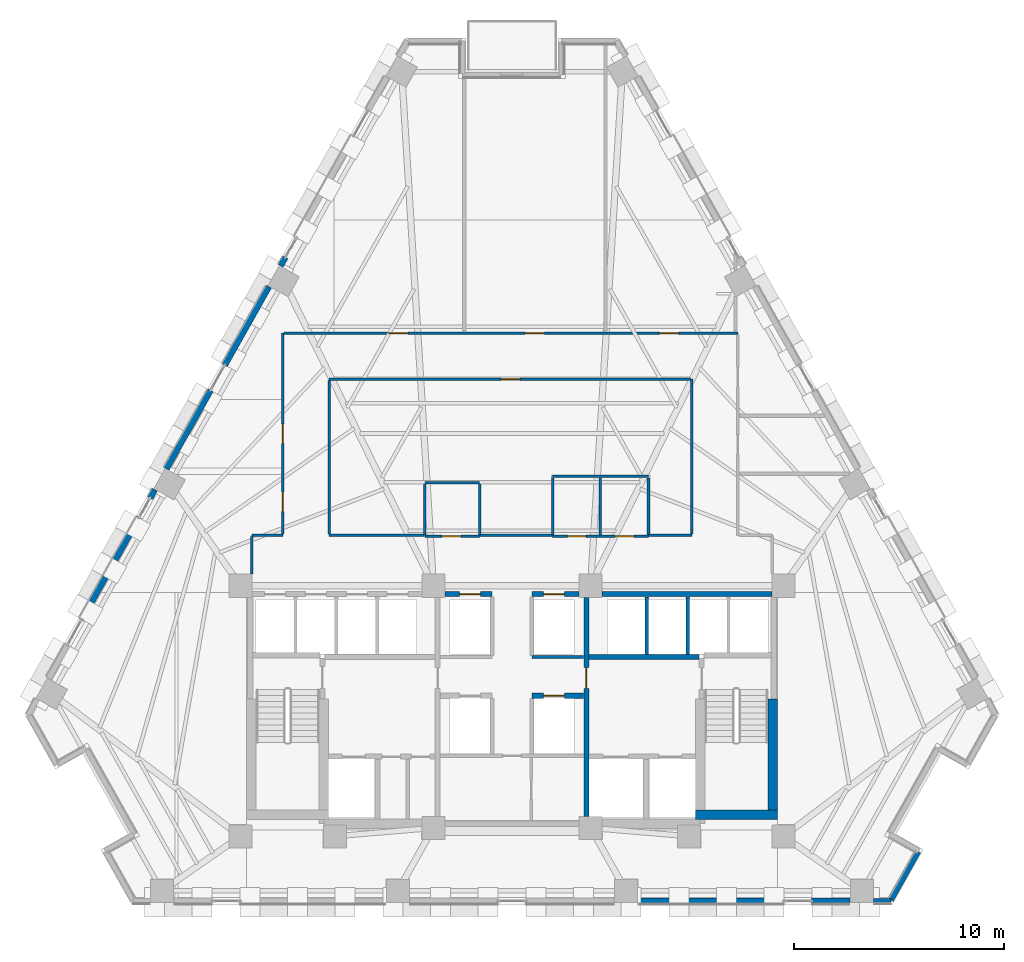
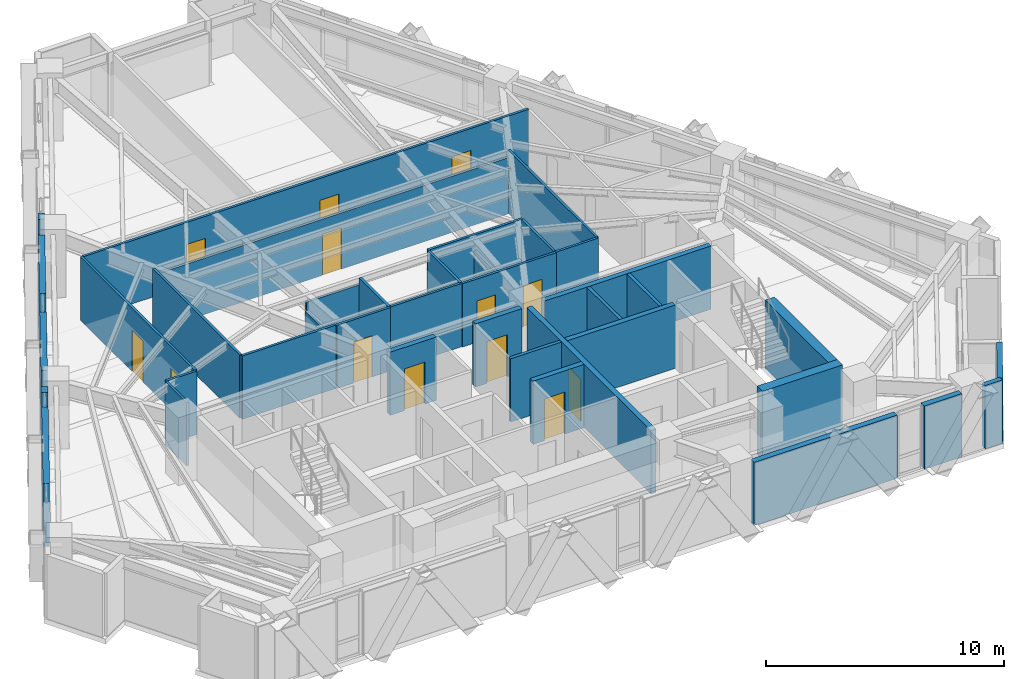
# One storey, part 8 of 13: 39 walls, 13 doors, 13 openings.
"""IFC4 building model written with IfcOpenShell, lengths in metres."""

from ifc_helpers import new_model, si_unit, direction, frame, frame_2d, origin, place, context, subcontext, project, spatial, rectangle, extrude, material, layer, layer_set, type_object, element, fill, save


model = new_model("IFC4")

# Units and contexts
model_context = context("Model", 3, precision=1e-05, world=origin(), true_north=direction((0.0, 1.0)))
body_context = subcontext(model_context, "Body", "Model", "MODEL_VIEW")
ifc_project = project(units=[si_unit("LENGTHUNIT", "METRE"), si_unit("AREAUNIT", "SQUARE_METRE"), si_unit("VOLUMEUNIT", "CUBIC_METRE"), si_unit("PLANEANGLEUNIT", "RADIAN"), si_unit("MASSUNIT", "GRAM", prefix="KILO")], contexts=[model_context])

# Site, building, storey
site_placement = place(None, origin())
site = spatial("IfcSite", under=ifc_project, at=site_placement, CompositionType="ELEMENT")
building_placement = place(site_placement, origin())
building = spatial("IfcBuilding", under=site, at=building_placement, Name="Quenlor Broadcast Tower", CompositionType="ELEMENT")
storey_placement = place(building_placement, frame((0.0, 0.0, 95.0)))
storey = spatial("IfcBuildingStorey", under=building, at=storey_placement, Name="L25", CompositionType="ELEMENT", Elevation=95.0)

# Walls
ifc_material_1 = material(Name="Concrete C50/60", Category="concrete")
ifc_layer_1 = layer(ifc_material_1, 0.449951171875)
ifc_layer_set_1 = layer_set([ifc_layer_1], Name="Core Concrete C50/60 Shear Wall 450")
wall_type_1 = type_object("IfcWallType", Name="Core Concrete C50/60 Shear Wall 450", PredefinedType="SHEAR", material=ifc_layer_set_1)
wall_1_placement = place(storey_placement, frame((8.75, -15.72509765625, 0.0), z_axis=(0.0, 0.0, 1.0), x_axis=(1.0, 0.0, 0.0)))
element("IfcWall", 1, at=wall_1_placement, inside=storey, type_object=wall_type_1, Name="L25 Core Shear Wall WS-E2", PredefinedType="SHEAR", context=body_context, shape_type="SweptSolid", body=[
    extrude(rectangle(XDim=3.89990234375, YDim=0.449951171875, at=frame_2d((1.949951171875, 0.0))), origin(), (0.0, 0.0, 1.0), 3.5),
])
wall_2_placement = place(storey_placement, frame((12.425048828125, -15.72509765625, 0.0), z_axis=(0.0, 0.0, 1.0), x_axis=(0.0, 1.0, 0.0)))
element("IfcWall", 2, at=wall_2_placement, inside=storey, type_object=wall_type_1, Name="L25 Core Shear Wall WF-E", PredefinedType="SHEAR", context=body_context, shape_type="SweptSolid", body=[
    extrude(rectangle(XDim=5.525146484375, YDim=0.449951171875, at=frame_2d((2.7626953125, 0.0))), origin(), (0.0, 0.0, 1.0), 3.5),
])
ifc_material_2 = material(Name="Concrete C40/50", Category="concrete")
ifc_layer_2 = layer(ifc_material_2, 0.25)
ifc_layer_set_2 = layer_set([ifc_layer_2], Name="Fire Rated Concrete C40/50 Core Wall 250")
wall_type_2 = type_object("IfcWallType", Name="Fire Rated Concrete C40/50 Core Wall 250", PredefinedType="PARTITIONING", material=ifc_layer_set_2)
wall_3_placement = place(storey_placement, frame((3.679931640625, -8.199951171875, 0.0), z_axis=(0.0, 0.0, 1.0), x_axis=(1.0, 0.0, 0.0)))
element("IfcWall", 3, at=wall_3_placement, inside=storey, type_object=wall_type_2, Name="L25 Interior Wall CW-FFE-N", PredefinedType="PARTITIONING", context=body_context, shape_type="SweptSolid", body=[
    extrude(rectangle(XDim=5.239990234375, YDim=0.25, at=frame_2d((2.6201171875, 0.0))), origin(), (0.0, 0.0, 1.0), 3.25),
])

# Wall, opening, door
wall_4_placement = place(storey_placement, frame((3.550048828125, -15.798095703125, 0.0), z_axis=(0.0, 0.0, 1.0), x_axis=(0.0, 1.0, 0.0)))
wall_4 = element("IfcWall", 4, at=wall_4_placement, inside=storey, type_object=wall_type_2, Name="L25 Interior Wall CW-FFE-W", PredefinedType="PARTITIONING", context=body_context, shape_type="SweptSolid", body=[
    extrude(rectangle(XDim=10.446044921875, YDim=0.25, at=frame_2d((5.22314453125, 0.0))), origin(), (0.0, 0.0, 1.0), 3.25),
])
opening_1_placement = place(wall_4_placement, frame((6.097900390625, 0.0, 0.0)))
opening_1 = element("IfcOpeningElement", 5, at=opening_1_placement, cuts=wall_4, Name="Opening FD-2", PredefinedType="OPENING", context=body_context, shape_type="SweptSolid", body=[
    extrude(rectangle(XDim=1.0, YDim=2.14990234375, at=frame_2d((0.5, 1.074951171875))), frame((0.0, 0.135009765625, 0.0), z_axis=(0.0, -1.0, 0.0), x_axis=(1.0, 0.0, 0.0)), (0.0, 0.0, 1.0), 0.27001953125),
])
ifc_material_3 = material(Name="Fire Rated Glazed Steel Door", Category="steel")
door_type_1 = type_object("IfcDoorType", Name="Firefighting Lobby Smoke Door 1000x2150", OperationType="NOTDEFINED", PredefinedType="DOOR", material=ifc_material_3)
door_1_placement = place(opening_1_placement, origin())
door_1 = element("IfcDoor", 6, at=door_1_placement, inside=storey, type_object=door_type_1, Name="L25 Door DR-FFLE", OperationType="SINGLE_SWING_LEFT", OverallHeight=2.14990234375, OverallWidth=1.0, PredefinedType="DOOR", context=body_context, shape_type="SweptSolid", body=[
    extrude(rectangle(XDim=1.0, YDim=2.14990234375, at=frame_2d((0.5, 1.074951171875))), frame((0.0, 0.02490234375, 0.0), z_axis=(0.0, -1.0, 0.0), x_axis=(1.0, 0.0, 0.0)), (0.0, 0.0, 1.0), 0.050048828125),
])
fill(opening_1, door_1)

# Wall
wall_5_placement = place(storey_placement, frame((4.302001953125, -5.199951171875, 0.0), z_axis=(0.0, 0.0, 1.0), x_axis=(1.0, 0.0, 0.0)))
element("IfcWall", 7, at=wall_5_placement, inside=storey, type_object=wall_type_2, Name="L25 Interior Wall CW-N-E", PredefinedType="PARTITIONING", context=body_context, shape_type="SweptSolid", body=[
    extrude(rectangle(XDim=8.095947265625, YDim=0.25, at=frame_2d((4.0478515625, 0.0))), origin(), (0.0, 0.0, 1.0), 3.25),
])

# Wall, opening, door
wall_6_placement = place(storey_placement, frame((-3.197998046875, -5.199951171875, 0.0), z_axis=(0.0, 0.0, 1.0), x_axis=(1.0, 0.0, 0.0)))
wall_6 = element("IfcWall", 8, at=wall_6_placement, inside=storey, type_object=wall_type_2, Name="L25 Interior Wall CW-N-M1", PredefinedType="PARTITIONING", context=body_context, shape_type="SweptSolid", body=[
    extrude(rectangle(XDim=2.248046875, YDim=0.25, at=frame_2d((1.1240234375, 0.0))), origin(), (0.0, 0.0, 1.0), 3.25),
])
opening_2_placement = place(wall_6_placement, frame((0.697998046875, 0.0, 0.0)))
opening_2 = element("IfcOpeningElement", 9, at=opening_2_placement, cuts=wall_6, Name="Opening LD-PL-M1", PredefinedType="OPENING", context=body_context, shape_type="SweptSolid", body=[
    extrude(rectangle(XDim=1.0, YDim=2.14990234375, at=frame_2d((0.5, 1.074951171875))), frame((0.0, 0.135009765625, 0.0), z_axis=(0.0, -1.0, 0.0), x_axis=(1.0, 0.0, 0.0)), (0.0, 0.0, 1.0), 0.27001953125),
])
ifc_material_4 = material(Name="Brushed Stainless Steel", Category="steel")
door_type_2 = type_object("IfcDoorType", Name="Passenger Lift Sliding Landing Door 1000x2150", OperationType="NOTDEFINED", PredefinedType="DOOR", material=ifc_material_4)
door_2_placement = place(opening_2_placement, origin())
door_2 = element("IfcDoor", 10, at=door_2_placement, inside=storey, type_object=door_type_2, Name="L25 Door LD-PL-M1", OperationType="SLIDING_TO_LEFT", OverallHeight=2.14990234375, OverallWidth=1.0, PredefinedType="DOOR", context=body_context, shape_type="SweptSolid", body=[
    extrude(rectangle(XDim=1.0, YDim=2.14990234375, at=frame_2d((0.5, 1.074951171875))), frame((0.0, 0.02490234375, 0.0), z_axis=(0.0, -1.0, 0.0), x_axis=(1.0, 0.0, 0.0)), (0.0, 0.0, 1.0), 0.050048828125),
])
fill(opening_2, door_2)

wall_7_placement = place(storey_placement, frame((0.949951171875, -5.199951171875, 0.0), z_axis=(0.0, 0.0, 1.0), x_axis=(1.0, 0.0, 0.0)))
wall_7 = element("IfcWall", 11, at=wall_7_placement, inside=storey, type_object=wall_type_2, Name="L25 Interior Wall CW-N-M2", PredefinedType="PARTITIONING", context=body_context, shape_type="SweptSolid", body=[
    extrude(rectangle(XDim=2.248046875, YDim=0.25, at=frame_2d((1.1240234375, 0.0))), origin(), (0.0, 0.0, 1.0), 3.25),
])
opening_3_placement = place(wall_7_placement, frame((0.550048828125, 0.0, 0.0)))
opening_3 = element("IfcOpeningElement", 12, at=opening_3_placement, cuts=wall_7, Name="Opening LD-PL-M2", PredefinedType="OPENING", context=body_context, shape_type="SweptSolid", body=[
    extrude(rectangle(XDim=1.0, YDim=2.14990234375, at=frame_2d((0.5, 1.074951171875))), frame((0.0, 0.135009765625, 0.0), z_axis=(0.0, -1.0, 0.0), x_axis=(1.0, 0.0, 0.0)), (0.0, 0.0, 1.0), 0.27001953125),
])
door_3_placement = place(opening_3_placement, origin())
door_3 = element("IfcDoor", 13, at=door_3_placement, inside=storey, type_object=door_type_2, Name="L25 Door LD-PL-M2", OperationType="SLIDING_TO_RIGHT", OverallHeight=2.14990234375, OverallWidth=1.0, PredefinedType="DOOR", context=body_context, shape_type="SweptSolid", body=[
    extrude(rectangle(XDim=1.0, YDim=2.14990234375, at=frame_2d((0.5, 1.074951171875))), frame((0.0, 0.02490234375, 0.0), z_axis=(0.0, -1.0, 0.0), x_axis=(1.0, 0.0, 0.0)), (0.0, 0.0, 1.0), 0.050048828125),
])
fill(opening_3, door_3)

wall_8_placement = place(storey_placement, frame((0.949951171875, -10.050048828125, 0.0), z_axis=(0.0, 0.0, 1.0), x_axis=(1.0, 0.0, 0.0)))
wall_8 = element("IfcWall", 14, at=wall_8_placement, inside=storey, type_object=wall_type_2, Name="L25 Interior Wall CW-MS-N2", PredefinedType="PARTITIONING", context=body_context, shape_type="SweptSolid", body=[
    extrude(rectangle(XDim=2.469970703125, YDim=0.25, at=frame_2d((1.23486328125, 0.0))), origin(), (0.0, 0.0, 1.0), 3.25),
])
opening_4_placement = place(wall_8_placement, frame((0.550048828125, 0.0, 0.0)))
opening_4 = element("IfcOpeningElement", 15, at=opening_4_placement, cuts=wall_8, Name="Opening LD-PL-M4", PredefinedType="OPENING", context=body_context, shape_type="SweptSolid", body=[
    extrude(rectangle(XDim=1.0, YDim=2.14990234375, at=frame_2d((0.5, 1.074951171875))), frame((0.0, 0.135009765625, 0.0), z_axis=(0.0, -1.0, 0.0), x_axis=(1.0, 0.0, 0.0)), (0.0, 0.0, 1.0), 0.27001953125),
])
door_4_placement = place(opening_4_placement, origin())
door_4 = element("IfcDoor", 16, at=door_4_placement, inside=storey, type_object=door_type_2, Name="L25 Door LD-PL-M4", OperationType="SLIDING_TO_RIGHT", OverallHeight=2.14990234375, OverallWidth=1.0, PredefinedType="DOOR", context=body_context, shape_type="SweptSolid", body=[
    extrude(rectangle(XDim=1.0, YDim=2.14990234375, at=frame_2d((0.5, 1.074951171875))), frame((0.0, 0.02490234375, 0.0), z_axis=(0.0, -1.0, 0.0), x_axis=(1.0, 0.0, 0.0)), (0.0, 0.0, 1.0), 0.050048828125),
])
fill(opening_4, door_4)

# Walls
ifc_material_5 = material(Name="Gypsum Fireboard Partition", Category="other")
ifc_layer_3 = layer(ifc_material_5, 0.159912109375)
ifc_layer_set_3 = layer_set([ifc_layer_3], Name="Fire Rated Shaft and Corridor Partition 160")
wall_type_3 = type_object("IfcWallType", Name="Fire Rated Shaft and Corridor Partition 160", PredefinedType="PARTITIONING", material=ifc_layer_set_3)
for number, where, z_axis, x_axis, name in (
    (17, (6.425048828125, -8.072998046875, 0.0), (0.0, 0.0, 1.0), (0.0, 1.0, 0.0), "L25 Interior Wall CW-PLH-D1"),
    (18, (8.375, -8.072998046875, 0.0), (0.0, 0.0, 1.0), (0.0, 1.0, 0.0), "L25 Interior Wall CW-PLH-D2"),
):
    element("IfcWall", number, at=place(storey_placement, frame(where, z_axis=z_axis, x_axis=x_axis)), inside=storey, type_object=wall_type_3, Name=name, PredefinedType="PARTITIONING", context=body_context, shape_type="SweptSolid", body=[
        extrude(rectangle(XDim=2.73291015625, YDim=0.159912109375, at=frame_2d((1.366455078125, 0.0))), origin(), (0.0, 0.0, 1.0), 3.25),
    ])
wall_9_placement = place(storey_placement, frame((0.949951171875, -8.199951171875, 0.0), z_axis=(0.0, 0.0, 1.0), x_axis=(1.0, 0.0, 0.0)))
element("IfcWall", 19, at=wall_9_placement, inside=storey, type_object=wall_type_3, Name="L25 Interior Wall CW-M-BACK2", PredefinedType="PARTITIONING", context=body_context, shape_type="SweptSolid", body=[
    extrude(rectangle(XDim=2.469970703125, YDim=0.159912109375, at=frame_2d((1.23486328125, 0.0))), origin(), (0.0, 0.0, 1.0), 3.25),
])

# Wall, opening, door
ifc_material_6 = material(Name="Gypsum Plasterboard Partition", Category="other")
ifc_layer_4 = layer(ifc_material_6, 0.1201171875)
ifc_layer_set_4 = layer_set([ifc_layer_4], Name="Standard Office Partition 120")
wall_type_4 = type_object("IfcWallType", Name="Standard Office Partition 120", PredefinedType="PARTITIONING", material=ifc_layer_set_4)
wall_10_placement = place(storey_placement, frame((-4.159912109375, -2.43994140625, 0.0), z_axis=(0.0, 0.0, 1.0), x_axis=(1.0, 0.0, 0.0)))
wall_10 = element("IfcWall", 20, at=wall_10_placement, inside=storey, type_object=wall_type_4, Name="L25 Interior Wall PW-AWC-S", PredefinedType="PARTITIONING", context=body_context, shape_type="SweptSolid", body=[
    extrude(rectangle(XDim=2.619873046875, YDim=0.1201171875, at=frame_2d((1.31005859375, 0.0))), origin(), (0.0, 0.0, 1.0), 3.25),
])
opening_5_placement = place(wall_10_placement, frame((0.820068359375, 0.0, 0.0)))
opening_5 = element("IfcOpeningElement", 21, at=opening_5_placement, cuts=wall_10, Name="Opening ID-3", PredefinedType="OPENING", context=body_context, shape_type="SweptSolid", body=[
    extrude(rectangle(XDim=0.89990234375, YDim=2.1201171875, at=frame_2d((0.449951171875, 1.06005859375))), frame((0.0, 0.070068359375, 0.0), z_axis=(0.0, -1.0, 0.0), x_axis=(1.0, 0.0, 0.0)), (0.0, 0.0, 1.0), 0.14013671875),
])
ifc_material_7 = material(Name="Moisture Resistant Timber Oak", Category="wood")
door_type_3 = type_object("IfcDoorType", Name="Washroom Privacy Door 900x2120", OperationType="NOTDEFINED", PredefinedType="DOOR", material=ifc_material_7)
door_5_placement = place(opening_5_placement, origin())
door_5 = element("IfcDoor", 22, at=door_5_placement, inside=storey, type_object=door_type_3, Name="L25 Door DR-AWC", OperationType="SINGLE_SWING_LEFT", OverallHeight=2.1201171875, OverallWidth=0.89990234375, PredefinedType="DOOR", context=body_context, shape_type="SweptSolid", body=[
    extrude(rectangle(XDim=0.89990234375, YDim=2.1201171875, at=frame_2d((0.449951171875, 1.06005859375))), frame((0.0, 0.02490234375, 0.0), z_axis=(0.0, -1.0, 0.0), x_axis=(1.0, 0.0, 0.0)), (0.0, 0.0, 1.0), 0.050048828125),
])
fill(opening_5, door_5)

# Walls
wall_11_placement = place(storey_placement, frame((-4.159912109375, 0.110107421875, 0.0), z_axis=(0.0, 0.0, 1.0), x_axis=(1.0, 0.0, 0.0)))
element("IfcWall", 23, at=wall_11_placement, inside=storey, type_object=wall_type_4, Name="L25 Interior Wall PW-AWC-N", PredefinedType="PARTITIONING", context=body_context, shape_type="SweptSolid", body=[
    extrude(rectangle(XDim=2.619873046875, YDim=0.1201171875, at=frame_2d((1.31005859375, 0.0))), origin(), (0.0, 0.0, 1.0), 2.891357421875),
])
wall_12_placement = place(storey_placement, frame((-4.159912109375, -2.3779296875, 0.0), z_axis=(0.0, 0.0, 1.0), x_axis=(0.0, 1.0, 0.0)))
element("IfcWall", 24, at=wall_12_placement, inside=storey, type_object=wall_type_4, Name="L25 Interior Wall PW-AWC-W", PredefinedType="PARTITIONING", context=body_context, shape_type="SweptSolid", body=[
    extrude(rectangle(XDim=2.426025390625, YDim=0.1201171875, at=frame_2d((1.212890625, 0.0))), origin(), (0.0, 0.0, 1.0), 2.43408203125),
])
wall_13_placement = place(storey_placement, frame((-1.5400390625, -2.3779296875, 0.0), z_axis=(0.0, 0.0, 1.0), x_axis=(0.0, 1.0, 0.0)))
element("IfcWall", 25, at=wall_13_placement, inside=storey, type_object=wall_type_4, Name="L25 Interior Wall PW-AWC-E", PredefinedType="PARTITIONING", context=body_context, shape_type="SweptSolid", body=[
    extrude(rectangle(XDim=2.426025390625, YDim=0.1201171875, at=frame_2d((1.212890625, 0.0))), origin(), (0.0, 0.0, 1.0), 3.25),
])

# Wall, openings, doors
wall_14_placement = place(storey_placement, frame((1.93994140625, -2.43994140625, 0.0), z_axis=(0.0, 0.0, 1.0), x_axis=(1.0, 0.0, 0.0)))
wall_14 = element("IfcWall", 26, at=wall_14_placement, inside=storey, type_object=wall_type_4, Name="L25 Interior Wall PW-WC-S", PredefinedType="PARTITIONING", context=body_context, shape_type="SweptSolid", body=[
    extrude(rectangle(XDim=4.570068359375, YDim=0.1201171875, at=frame_2d((2.28515625, 0.0))), origin(), (0.0, 0.0, 1.0), 3.25),
])
opening_6_placement = place(wall_14_placement, frame((0.699951171875, 0.0, 0.0)))
opening_6 = element("IfcOpeningElement", 27, at=opening_6_placement, cuts=wall_14, Name="Opening ID-3", PredefinedType="OPENING", context=body_context, shape_type="SweptSolid", body=[
    extrude(rectangle(XDim=0.89990234375, YDim=2.1201171875, at=frame_2d((0.449951171875, 1.06005859375))), frame((0.0, 0.070068359375, 0.0), z_axis=(0.0, -1.0, 0.0), x_axis=(1.0, 0.0, 0.0)), (0.0, 0.0, 1.0), 0.14013671875),
])
opening_7_placement = place(wall_14_placement, frame((2.97998046875, 0.0, 0.0)))
opening_7 = element("IfcOpeningElement", 28, at=opening_7_placement, cuts=wall_14, Name="Opening ID-3", PredefinedType="OPENING", context=body_context, shape_type="SweptSolid", body=[
    extrude(rectangle(XDim=0.89990234375, YDim=2.1201171875, at=frame_2d((0.449951171875, 1.06005859375))), frame((0.0, 0.070068359375, 0.0), z_axis=(0.0, -1.0, 0.0), x_axis=(1.0, 0.0, 0.0)), (0.0, 0.0, 1.0), 0.14013671875),
])
door_6_placement = place(opening_6_placement, origin())
door_6 = element("IfcDoor", 29, at=door_6_placement, inside=storey, type_object=door_type_3, Name="L25 Door DR-MWC", OperationType="SINGLE_SWING_LEFT", OverallHeight=2.1201171875, OverallWidth=0.89990234375, PredefinedType="DOOR", context=body_context, shape_type="SweptSolid", body=[
    extrude(rectangle(XDim=0.89990234375, YDim=2.1201171875, at=frame_2d((0.449951171875, 1.06005859375))), frame((0.0, 0.02490234375, 0.0), z_axis=(0.0, -1.0, 0.0), x_axis=(1.0, 0.0, 0.0)), (0.0, 0.0, 1.0), 0.050048828125),
])
fill(opening_6, door_6)
door_7_placement = place(opening_7_placement, origin())
door_7 = element("IfcDoor", 30, at=door_7_placement, inside=storey, type_object=door_type_3, Name="L25 Door DR-FWC", OperationType="SINGLE_SWING_RIGHT", OverallHeight=2.1201171875, OverallWidth=0.89990234375, PredefinedType="DOOR", context=body_context, shape_type="SweptSolid", body=[
    extrude(rectangle(XDim=0.89990234375, YDim=2.1201171875, at=frame_2d((0.449951171875, 1.06005859375))), frame((0.0, 0.02490234375, 0.0), z_axis=(0.0, -1.0, 0.0), x_axis=(1.0, 0.0, 0.0)), (0.0, 0.0, 1.0), 0.050048828125),
])
fill(opening_7, door_7)

# Walls
wall_15_placement = place(storey_placement, frame((1.93994140625, 0.409912109375, 0.0), z_axis=(0.0, 0.0, 1.0), x_axis=(1.0, 0.0, 0.0)))
element("IfcWall", 31, at=wall_15_placement, inside=storey, type_object=wall_type_4, Name="L25 Interior Wall PW-WC-N", PredefinedType="PARTITIONING", context=body_context, shape_type="SweptSolid", body=[
    extrude(rectangle(XDim=4.570068359375, YDim=0.1201171875, at=frame_2d((2.28515625, 0.0))), origin(), (0.0, 0.0, 1.0), 3.25),
])
wall_16_placement = place(storey_placement, frame((1.93994140625, -2.3779296875, 0.0), z_axis=(0.0, 0.0, 1.0), x_axis=(0.0, 1.0, 0.0)))
element("IfcWall", 32, at=wall_16_placement, inside=storey, type_object=wall_type_4, Name="L25 Interior Wall PW-WC-W", PredefinedType="PARTITIONING", context=body_context, shape_type="SweptSolid", body=[
    extrude(rectangle(XDim=2.725830078125, YDim=0.1201171875, at=frame_2d((1.36279296875, 0.0))), origin(), (0.0, 0.0, 1.0), 3.25),
])
wall_17_placement = place(storey_placement, frame((4.219970703125, -2.3779296875, 0.0), z_axis=(0.0, 0.0, 1.0), x_axis=(0.0, 1.0, 0.0)))
element("IfcWall", 33, at=wall_17_placement, inside=storey, type_object=wall_type_4, Name="L25 Interior Wall PW-WC-M", PredefinedType="PARTITIONING", context=body_context, shape_type="SweptSolid", body=[
    extrude(rectangle(XDim=2.725830078125, YDim=0.1201171875, at=frame_2d((1.36279296875, 0.0))), origin(), (0.0, 0.0, 1.0), 2.43408203125),
])
wall_18_placement = place(storey_placement, frame((6.510009765625, -2.3779296875, 0.0), z_axis=(0.0, 0.0, 1.0), x_axis=(0.0, 1.0, 0.0)))
element("IfcWall", 34, at=wall_18_placement, inside=storey, type_object=wall_type_4, Name="L25 Interior Wall PW-WC-E", PredefinedType="PARTITIONING", context=body_context, shape_type="SweptSolid", body=[
    extrude(rectangle(XDim=2.725830078125, YDim=0.1201171875, at=frame_2d((1.36279296875, 0.0))), origin(), (0.0, 0.0, 1.0), 3.25),
])
wall_19_placement = place(storey_placement, frame((-12.409912109375, -2.39990234375, 0.0), z_axis=(0.0, 0.0, 1.0), x_axis=(1.0, 0.0, 0.0)))
element("IfcWall", 35, at=wall_19_placement, inside=storey, type_object=wall_type_4, Name="L25 Interior Wall PW-CR-01", PredefinedType="PARTITIONING", context=body_context, shape_type="SweptSolid", body=[
    extrude(rectangle(XDim=1.48486328125, YDim=0.1201171875, at=frame_2d((0.742431640625, 0.0))), origin(), (0.0, 0.0, 1.0), 3.25),
])

# Wall, openings, doors
wall_20_placement = place(storey_placement, frame((-10.925048828125, -2.337890625, 0.0), z_axis=(0.0, 0.0, 1.0), x_axis=(0.0, 1.0, 0.0)))
wall_20 = element("IfcWall", 36, at=wall_20_placement, inside=storey, type_object=wall_type_4, Name="L25 Interior Wall PW-CR-02", PredefinedType="PARTITIONING", context=body_context, shape_type="SweptSolid", body=[
    extrude(rectangle(XDim=9.587890625, YDim=0.1201171875, at=frame_2d((4.7939453125, 0.0))), origin(), (0.0, 0.0, 1.0), 3.25),
])
opening_8_placement = place(wall_20_placement, frame((4.327880859375, 0.0, 0.0)))
opening_8 = element("IfcOpeningElement", 37, at=opening_8_placement, cuts=wall_20, Name="Opening ID-1", PredefinedType="OPENING", context=body_context, shape_type="SweptSolid", body=[
    extrude(rectangle(XDim=0.919921875, YDim=2.1201171875, at=frame_2d((0.4599609375, 1.06005859375))), frame((0.0, 0.070068359375, 0.0), z_axis=(0.0, -1.0, 0.0), x_axis=(1.0, 0.0, 0.0)), (0.0, 0.0, 1.0), 0.14013671875),
])
opening_9_placement = place(wall_20_placement, frame((1.076904296875, 0.0, 0.0)))
opening_9 = element("IfcOpeningElement", 38, at=opening_9_placement, cuts=wall_20, Name="Opening ID-1", PredefinedType="OPENING", context=body_context, shape_type="SweptSolid", body=[
    extrude(rectangle(XDim=0.919921875, YDim=2.1201171875, at=frame_2d((0.4599609375, 1.06005859375))), frame((0.0, 0.070068359375, 0.0), z_axis=(0.0, -1.0, 0.0), x_axis=(1.0, 0.0, 0.0)), (0.0, 0.0, 1.0), 0.14013671875),
])
ifc_material_8 = material(Name="Solid Core Timber Oak", Category="wood")
door_type_4 = type_object("IfcDoorType", Name="Single Leaf Timber Office Door 920x2120", OperationType="NOTDEFINED", PredefinedType="DOOR", material=ifc_material_8)
door_8_placement = place(opening_8_placement, origin())
door_8 = element("IfcDoor", 39, at=door_8_placement, inside=storey, type_object=door_type_4, Name="L25 Door DR-RM05", OperationType="SINGLE_SWING_RIGHT", OverallHeight=2.1201171875, OverallWidth=0.919921875, PredefinedType="DOOR", context=body_context, shape_type="SweptSolid", body=[
    extrude(rectangle(XDim=0.919921875, YDim=2.1201171875, at=frame_2d((0.4599609375, 1.06005859375))), frame((0.0, 0.02490234375, 0.0), z_axis=(0.0, -1.0, 0.0), x_axis=(1.0, 0.0, 0.0)), (0.0, 0.0, 1.0), 0.050048828125),
])
fill(opening_8, door_8)
door_9_placement = place(opening_9_placement, origin())
door_9 = element("IfcDoor", 40, at=door_9_placement, inside=storey, type_object=door_type_4, Name="L25 Door DR-RM08", OperationType="SINGLE_SWING_LEFT", OverallHeight=2.1201171875, OverallWidth=0.919921875, PredefinedType="DOOR", context=body_context, shape_type="SweptSolid", body=[
    extrude(rectangle(XDim=0.919921875, YDim=2.1201171875, at=frame_2d((0.4599609375, 1.06005859375))), frame((0.0, 0.02490234375, 0.0), z_axis=(0.0, -1.0, 0.0), x_axis=(1.0, 0.0, 0.0)), (0.0, 0.0, 1.0), 0.050048828125),
])
fill(opening_9, door_9)

wall_21_placement = place(storey_placement, frame((-10.863037109375, 7.25, 0.0), z_axis=(0.0, 0.0, 1.0), x_axis=(1.0, 0.0, 0.0)))
wall_21 = element("IfcWall", 41, at=wall_21_placement, inside=storey, type_object=wall_type_4, Name="L25 Interior Wall PW-CR-03", PredefinedType="PARTITIONING", context=body_context, shape_type="SweptSolid", body=[
    extrude(rectangle(XDim=21.637939453125, YDim=0.1201171875, at=frame_2d((10.81884765625, 0.0))), origin(), (0.0, 0.0, 1.0), 3.25),
])
opening_10_placement = place(wall_21_placement, frame((11.492919921875, 0.0, 0.0)))
opening_10 = element("IfcOpeningElement", 42, at=opening_10_placement, cuts=wall_21, Name="Opening ID-1", PredefinedType="OPENING", context=body_context, shape_type="SweptSolid", body=[
    extrude(rectangle(XDim=0.919921875, YDim=2.1201171875, at=frame_2d((0.4599609375, 1.06005859375))), frame((0.0, 0.070068359375, 0.0), z_axis=(0.0, -1.0, 0.0), x_axis=(1.0, 0.0, 0.0)), (0.0, 0.0, 1.0), 0.14013671875),
])
opening_11_placement = place(wall_21_placement, frame((4.992919921875, 0.0, 0.0)))
opening_11 = element("IfcOpeningElement", 43, at=opening_11_placement, cuts=wall_21, Name="Opening ID-1", PredefinedType="OPENING", context=body_context, shape_type="SweptSolid", body=[
    extrude(rectangle(XDim=0.919921875, YDim=2.1201171875, at=frame_2d((0.4599609375, 1.06005859375))), frame((0.0, 0.070068359375, 0.0), z_axis=(0.0, -1.0, 0.0), x_axis=(1.0, 0.0, 0.0)), (0.0, 0.0, 1.0), 0.14013671875),
])
opening_12_placement = place(wall_21_placement, frame((17.89111328125, 0.0, 0.0)))
opening_12 = element("IfcOpeningElement", 44, at=opening_12_placement, cuts=wall_21, Name="Opening ID-1", PredefinedType="OPENING", context=body_context, shape_type="SweptSolid", body=[
    extrude(rectangle(XDim=0.919921875, YDim=2.1201171875, at=frame_2d((0.4599609375, 1.06005859375))), frame((0.0, 0.070068359375, 0.0), z_axis=(0.0, -1.0, 0.0), x_axis=(1.0, 0.0, 0.0)), (0.0, 0.0, 1.0), 0.14013671875),
])
door_10_placement = place(opening_10_placement, origin())
door_10 = element("IfcDoor", 45, at=door_10_placement, inside=storey, type_object=door_type_4, Name="L25 Door DR-RM01", OperationType="SINGLE_SWING_RIGHT", OverallHeight=2.1201171875, OverallWidth=0.919921875, PredefinedType="DOOR", context=body_context, shape_type="SweptSolid", body=[
    extrude(rectangle(XDim=0.919921875, YDim=2.1201171875, at=frame_2d((0.4599609375, 1.06005859375))), frame((0.0, 0.02490234375, 0.0), z_axis=(0.0, -1.0, 0.0), x_axis=(1.0, 0.0, 0.0)), (0.0, 0.0, 1.0), 0.050048828125),
])
fill(opening_10, door_10)
door_11_placement = place(opening_11_placement, origin())
door_11 = element("IfcDoor", 46, at=door_11_placement, inside=storey, type_object=door_type_4, Name="L25 Door DR-RM02", OperationType="SINGLE_SWING_LEFT", OverallHeight=2.1201171875, OverallWidth=0.919921875, PredefinedType="DOOR", context=body_context, shape_type="SweptSolid", body=[
    extrude(rectangle(XDim=0.919921875, YDim=2.1201171875, at=frame_2d((0.4599609375, 1.06005859375))), frame((0.0, 0.02490234375, 0.0), z_axis=(0.0, -1.0, 0.0), x_axis=(1.0, 0.0, 0.0)), (0.0, 0.0, 1.0), 0.050048828125),
])
fill(opening_11, door_11)
door_12_placement = place(opening_12_placement, origin())
door_12 = element("IfcDoor", 47, at=door_12_placement, inside=storey, type_object=door_type_4, Name="L25 Door DR-RM03", OperationType="SINGLE_SWING_RIGHT", OverallHeight=2.1201171875, OverallWidth=0.919921875, PredefinedType="DOOR", context=body_context, shape_type="SweptSolid", body=[
    extrude(rectangle(XDim=0.919921875, YDim=2.1201171875, at=frame_2d((0.4599609375, 1.06005859375))), frame((0.0, 0.02490234375, 0.0), z_axis=(0.0, -1.0, 0.0), x_axis=(1.0, 0.0, 0.0)), (0.0, 0.0, 1.0), 0.050048828125),
])
fill(opening_12, door_12)

# Walls
wall_22_placement = place(storey_placement, frame((-12.409912109375, -4.248046875, 0.0), z_axis=(0.0, 0.0, 1.0), x_axis=(0.0, 1.0, 0.0)))
element("IfcWall", 48, at=wall_22_placement, inside=storey, type_object=wall_type_4, Name="L25 Interior Wall PW-CR-07", PredefinedType="PARTITIONING", context=body_context, shape_type="SweptSolid", body=[
    extrude(rectangle(XDim=1.7861328125, YDim=0.1201171875, at=frame_2d((0.89306640625, 0.0))), origin(), (0.0, 0.0, 1.0), 3.25),
])
wall_23_placement = place(storey_placement, frame((-8.72509765625, -2.39990234375, 0.0), z_axis=(0.0, 0.0, 1.0), x_axis=(1.0, 0.0, 0.0)))
element("IfcWall", 49, at=wall_23_placement, inside=storey, type_object=wall_type_4, Name="L25 Interior Wall PW-CR-08", PredefinedType="PARTITIONING", context=body_context, shape_type="SweptSolid", body=[
    extrude(rectangle(XDim=4.56298828125, YDim=0.1201171875, at=frame_2d((2.281494140625, 0.0))), origin(), (0.0, 0.0, 1.0), 3.25),
])
wall_24_placement = place(storey_placement, frame((-1.5380859375, -2.39990234375, 0.0), z_axis=(0.0, 0.0, 1.0), x_axis=(1.0, 0.0, 0.0)))
element("IfcWall", 50, at=wall_24_placement, inside=storey, type_object=wall_type_4, Name="L25 Interior Wall PW-CR-08S2", PredefinedType="PARTITIONING", context=body_context, shape_type="SweptSolid", body=[
    extrude(rectangle(XDim=3.47607421875, YDim=0.1201171875, at=frame_2d((1.738037109375, 0.0))), origin(), (0.0, 0.0, 1.0), 3.25),
])
wall_25_placement = place(storey_placement, frame((6.511962890625, -2.39990234375, 0.0), z_axis=(0.0, 0.0, 1.0), x_axis=(1.0, 0.0, 0.0)))
element("IfcWall", 51, at=wall_25_placement, inside=storey, type_object=wall_type_4, Name="L25 Interior Wall PW-CR-08S3", PredefinedType="PARTITIONING", context=body_context, shape_type="SweptSolid", body=[
    extrude(rectangle(XDim=2.06298828125, YDim=0.1201171875, at=frame_2d((1.031494140625, 0.0))), origin(), (0.0, 0.0, 1.0), 3.25),
])
wall_26_placement = place(storey_placement, frame((8.574951171875, -2.337890625, 0.0), z_axis=(0.0, 0.0, 1.0), x_axis=(0.0, 1.0, 0.0)))
element("IfcWall", 52, at=wall_26_placement, inside=storey, type_object=wall_type_4, Name="L25 Interior Wall PW-CR-09", PredefinedType="PARTITIONING", context=body_context, shape_type="SweptSolid", body=[
    extrude(rectangle(XDim=7.387939453125, YDim=0.1201171875, at=frame_2d((3.69384765625, 0.0))), origin(), (0.0, 0.0, 1.0), 3.25),
])

# Wall, opening, door
wall_27_placement = place(storey_placement, frame((8.512939453125, 5.050048828125, 0.0), z_axis=(0.0, 0.0, 1.0), x_axis=(-1.0, 0.0, 0.0)))
wall_27 = element("IfcWall", 53, at=wall_27_placement, inside=storey, type_object=wall_type_4, Name="L25 Interior Wall PW-CR-10", PredefinedType="PARTITIONING", context=body_context, shape_type="SweptSolid", body=[
    extrude(rectangle(XDim=17.238037109375, YDim=0.1201171875, at=frame_2d((8.619140625, 0.0))), origin(), (0.0, 0.0, 1.0), 2.891357421875),
])
opening_13_placement = place(wall_27_placement, frame((8.1279296875, 0.0, 0.0)))
opening_13 = element("IfcOpeningElement", 54, at=opening_13_placement, cuts=wall_27, Name="Opening ID-1", PredefinedType="OPENING", context=body_context, shape_type="SweptSolid", body=[
    extrude(rectangle(XDim=0.919921875, YDim=2.1201171875, at=frame_2d((0.4599609375, 1.06005859375))), frame((0.0, 0.070068359375, 0.0), z_axis=(0.0, -1.0, 0.0), x_axis=(1.0, 0.0, 0.0)), (0.0, 0.0, 1.0), 0.14013671875),
])
door_13_placement = place(opening_13_placement, origin())
door_13 = element("IfcDoor", 55, at=door_13_placement, inside=storey, type_object=door_type_4, Name="L25 Door DR-RM07", OperationType="SINGLE_SWING_RIGHT", OverallHeight=2.1201171875, OverallWidth=0.919921875, PredefinedType="DOOR", context=body_context, shape_type="SweptSolid", body=[
    extrude(rectangle(XDim=0.919921875, YDim=2.1201171875, at=frame_2d((0.4599609375, 1.06005859375))), frame((0.0, 0.02490234375, 0.0), z_axis=(0.0, -1.0, 0.0), x_axis=(1.0, 0.0, 0.0)), (0.0, 0.0, 1.0), 0.050048828125),
])
fill(opening_13, door_13)

# Walls
wall_28_placement = place(storey_placement, frame((-8.72509765625, 4.988037109375, 0.0), z_axis=(0.0, 0.0, 1.0), x_axis=(0.0, -1.0, 0.0)))
element("IfcWall", 56, at=wall_28_placement, inside=storey, type_object=wall_type_4, Name="L25 Interior Wall PW-CR-11", PredefinedType="PARTITIONING", context=body_context, shape_type="SweptSolid", body=[
    extrude(rectangle(XDim=7.325927734375, YDim=0.1201171875, at=frame_2d((3.6630859375, 0.0))), origin(), (0.0, 0.0, 1.0), 3.25),
])
ifc_material_9 = material(Name="Precast concrete C40/50", Category="concrete")
ifc_layer_5 = layer(ifc_material_9, 0.239990234375)
ifc_layer_set_5 = layer_set([ifc_layer_5], Name="Terrace Threshold Precast Concrete C40/50 Wall 240")
wall_type_5 = type_object("IfcWallType", Name="Terrace Threshold Precast Concrete C40/50 Wall 240", PredefinedType="STANDARD", material=ifc_layer_set_5)
wall_29_placement = place(storey_placement, frame((18.083984375, -19.840087890625, 0.0), z_axis=(0.0, 0.0, 1.0), x_axis=(-1.0, 0.0, 0.0)))
element("IfcWall", 57, at=wall_29_placement, inside=storey, type_object=wall_type_5, Name="L25 Exterior Wall L25-SHD-SS0", PredefinedType="STANDARD", context=body_context, shape_type="SweptSolid", body=[
    extrude(rectangle(XDim=0.83642578125, YDim=0.239990234375, at=frame_2d((0.418212890625, 0.0))), origin(), (0.0, 0.0, 1.0), 3.25),
])
wall_30_placement = place(storey_placement, frame((18.074951171875, -19.79638671875, 0.0), z_axis=(0.0, 0.0, 1.0), x_axis=(0.490248170584, 0.871582888335, 0.0)))
element("IfcWall", 58, at=wall_30_placement, inside=storey, type_object=wall_type_5, Name="L25 Exterior Wall L25-CNR-18", PredefinedType="STANDARD", context=body_context, shape_type="SweptSolid", body=[
    extrude(rectangle(XDim=2.660888671875, YDim=0.239990234375, at=frame_2d((1.33056640625, 0.0))), origin(), (0.0, 0.0, 1.0), 3.25),
])
ifc_material_10 = material(Name="Precast concrete C40/50", Category="concrete")
ifc_layer_6 = layer(ifc_material_10, 0.280029296875)
ifc_layer_set_6 = layer_set([ifc_layer_6], Name="Terracotta Precast Concrete C40/50 Facade Wall 280")
wall_type_6 = type_object("IfcWallType", Name="Terracotta Precast Concrete C40/50 Facade Wall 280", PredefinedType="STANDARD", material=ifc_layer_set_6)
wall_31_placement = place(storey_placement, frame((16.117431640625, -19.840087890625, 0.0), z_axis=(0.0, 0.0, 1.0), x_axis=(-1.0, 0.0, 0.0)))
element("IfcWall", 59, at=wall_31_placement, inside=storey, type_object=wall_type_6, Name="L25 Exterior Wall L25-SA-SP1", PredefinedType="STANDARD", context=body_context, shape_type="SweptSolid", body=[
    extrude(rectangle(XDim=1.82568359375, YDim=0.280029296875, at=frame_2d((0.912841796875, 0.0))), origin(), (0.0, 0.0, 1.0), 3.25),
])
wall_32_placement = place(storey_placement, frame((12.978759765625, -19.840087890625, 0.0), z_axis=(0.0, 0.0, 1.0), x_axis=(-1.0, 0.0, 0.0)))
element("IfcWall", 60, at=wall_32_placement, inside=storey, type_object=wall_type_6, Name="L25 Exterior Wall L25-SA-SP2", PredefinedType="STANDARD", context=body_context, shape_type="SweptSolid", body=[
    extrude(rectangle(XDim=6.96044921875, YDim=0.280029296875, at=frame_2d((3.480224609375, 0.0))), origin(), (0.0, 0.0, 1.0), 3.25),
])
wall_33_placement = place(storey_placement, frame((-20.527099609375, -6.419189453125, 0.0), z_axis=(0.0, 0.0, 1.0), x_axis=(0.490265381388, 0.871573207374, 0.0)))
element("IfcWall", 61, at=wall_33_placement, inside=storey, type_object=wall_type_6, Name="L25 Exterior Wall L25-NWA-SP2", PredefinedType="STANDARD", context=body_context, shape_type="SweptSolid", body=[
    extrude(rectangle(XDim=5.59716796875, YDim=0.280029296875, at=frame_2d((2.798583984375, 0.0))), origin(), (0.0, 0.0, 1.0), 3.25),
])
for number, where, z_axis, x_axis, name in (
    (62, (-17.264404296875, -0.618896484375, 0.0), (0.0, 0.0, 1.0), (0.490009165718, 0.871717280724, 0.0), "L25 Exterior Wall L25-NWA-SP3"),
    (63, (-11.031982421875, 10.461181640625, 0.0), (0.0, 0.0, 1.0), (0.490412424957, 0.871490478116, 0.0), "L25 Exterior Wall L25-NWC-SP1"),
):
    element("IfcWall", number, at=place(storey_placement, frame(where, z_axis=z_axis, x_axis=x_axis)), inside=storey, type_object=wall_type_6, Name=name, PredefinedType="STANDARD", context=body_context, shape_type="SweptSolid", body=[
        extrude(rectangle(XDim=0.4599609375, YDim=0.280029296875, at=frame_2d((0.22998046875, 0.0))), origin(), (0.0, 0.0, 1.0), 3.25),
    ])
for number, where, z_axis, x_axis, name in (
    (64, (-16.477783203125, 0.780029296875, 0.0), (0.0, 0.0, 1.0), (0.490293592365, 0.871557337922, 0.0), "L25 Exterior Wall L25-NW-SP1"),
    (65, (-13.701171875, 5.716064453125, 0.0), (0.0, 0.0, 1.0), (0.490293592365, 0.871557337922, 0.0), "L25 Exterior Wall L25-NW-SP2"),
):
    element("IfcWall", number, at=place(storey_placement, frame(where, z_axis=z_axis, x_axis=x_axis)), inside=storey, type_object=wall_type_6, Name=name, PredefinedType="STANDARD", context=body_context, shape_type="SweptSolid", body=[
        extrude(rectangle(XDim=4.29931640625, YDim=0.280029296875, at=frame_2d((2.149658203125, 0.0))), origin(), (0.0, 0.0, 1.0), 3.25),
    ])

save(model, "model.ifc")
